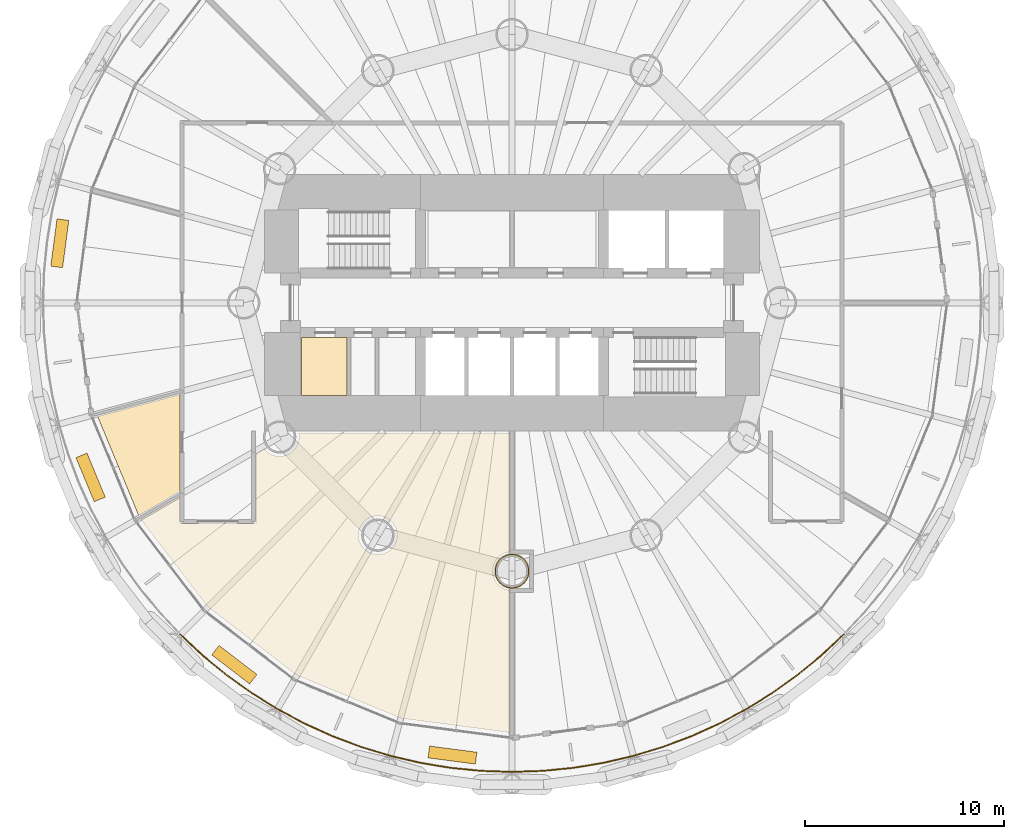
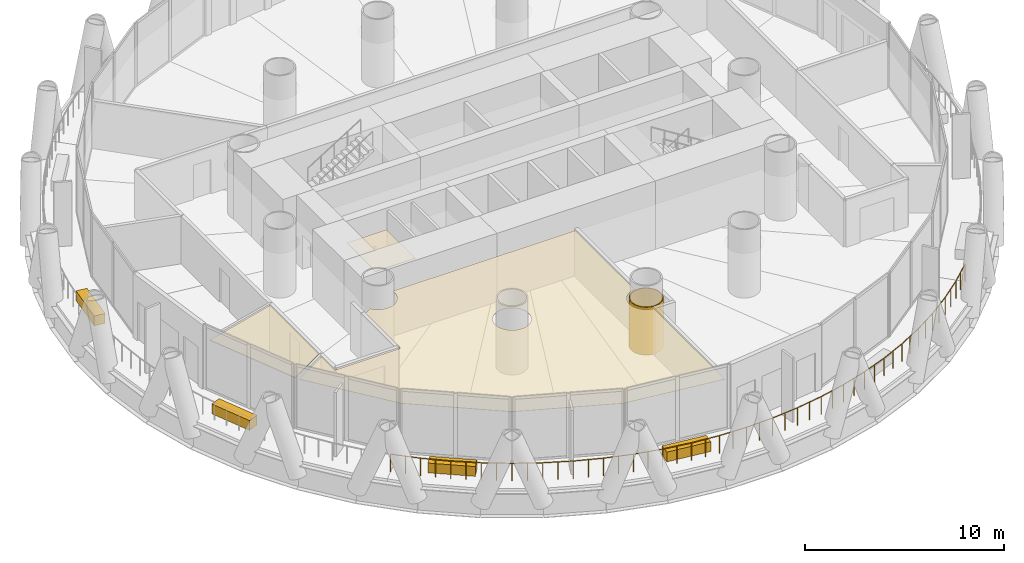
# One storey, part 12 of 15: 8 coverings, 1 railing.
"""IFC4 building model written with IfcOpenShell, lengths in metres."""

from ifc_helpers import new_model, si_unit, direction, frame, origin, origin_2d, place, context, subcontext, project, spatial, polyline, rectangle, circle, outline, extrude, material, layer, layer_set, type_object, element, save


model = new_model("IFC4")

# Units and contexts
model_context = context("Model", 3, precision=1e-05, world=origin(), true_north=direction((0.0, 1.0)))
body_context = subcontext(model_context, "Body", "Model", "MODEL_VIEW")
ifc_project = project(units=[si_unit("LENGTHUNIT", "METRE"), si_unit("AREAUNIT", "SQUARE_METRE"), si_unit("VOLUMEUNIT", "CUBIC_METRE"), si_unit("PLANEANGLEUNIT", "RADIAN"), si_unit("MASSUNIT", "GRAM", prefix="KILO")], contexts=[model_context])

# Site, building, storey
site_placement = place(None, origin())
site = spatial("IfcSite", under=ifc_project, at=site_placement, CompositionType="ELEMENT")
building_placement = place(site_placement, origin())
building = spatial("IfcBuilding", under=site, at=building_placement, Name="Qaws Media Tower", CompositionType="ELEMENT")
storey_placement = place(building_placement, frame((0.0, 0.0, 189.800048828125)))
storey = spatial("IfcBuildingStorey", under=building, at=storey_placement, Name="L43", CompositionType="ELEMENT", Elevation=189.800048828125)

# Covering
ifc_material_1 = material(Name="40 perforated acoustic panels with mineral wool backing, suspended", Category="mineral fibre")
ifc_layer_1 = layer(ifc_material_1, 0.0400390625)
ifc_layer_set_1 = layer_set([ifc_layer_1], Name="Acoustic panel ceiling 40")
covering_type_1 = type_object("IfcCoveringType", Name="Acoustic panel ceiling 40", PredefinedType="CEILING", material=ifc_layer_set_1)
covering_1_placement = place(storey_placement, frame((0.0, 0.0, 2.849853515625)))
element("IfcCovering", 1, at=covering_1_placement, inside=storey, type_object=covering_type_1, Name="CL3 ceiling L43-05 Meeting room", PredefinedType="CEILING", context=body_context, shape_type="SweptSolid", body=[
    extrude(outline(polyline([(39.1455078125, 44.295654296875), (43.28759765625, 45.405517578125), (43.28759765625, 40.48095703125), (41.219970703125, 39.287109375), (39.1455078125, 44.295654296875)])), origin(), (0.0, 0.0, 1.0), 0.0400390625),
])

# Railing
ifc_material_2 = material(Name="Stainless steel and glass guard", Category="steel")
railing_type = type_object("IfcRailingType", Name="Balcony guard 1100", PredefinedType="GUARDRAIL", material=ifc_material_2)
railing_placement = place(storey_placement, frame((43.312255859375, 33.312255859375, 0.0)))
element("IfcRailing", 2, at=railing_placement, inside=storey, type_object=railing_type, Name="GR1 balcony guard L43-3", PredefinedType="GUARDRAIL", context=body_context, shape_type="SweptSolid", body=[
    extrude(circle(Radius=0.02392578125, at=origin_2d()), frame((0.0, 0.0, 1.076171875), z_axis=(0.72988713465, -0.683567678195, 0.0), x_axis=(0.683567678195, 0.72988713465, 0.0)), (0.0, 0.0, 1.0), 1.54443359375),
    extrude(circle(Radius=0.02392578125, at=origin_2d()), frame((1.127197265625, -1.0556640625, 1.076171875), z_axis=(0.773019700674, -0.634382016115, 0.0), x_axis=(0.634382016115, 0.773019700674, 0.0)), (0.0, 0.0, 1.0), 1.54443359375),
    extrude(circle(Radius=0.02392578125, at=origin_2d()), frame((2.321044921875, -2.035400390625, 1.076171875), z_axis=(0.812770964156, -0.58258335011, 0.0), x_axis=(0.58258335011, 0.812770964156, 0.0)), (0.0, 0.0, 1.0), 1.544189453125),
    extrude(circle(Radius=0.02392578125, at=origin_2d()), frame((3.576171875, -2.93505859375, 1.076171875), z_axis=(0.849239345456, -0.528008081501, 0.0), x_axis=(0.528008081501, 0.849239345456, 0.0)), (0.0, 0.0, 1.0), 1.54443359375),
    extrude(circle(Radius=0.02392578125, at=origin_2d()), frame((4.8876953125, -3.75048828125, 1.076171875), z_axis=(0.881923737177, -0.471392110461, 0.0), x_axis=(0.471392110461, 0.881923737177, 0.0)), (0.0, 0.0, 1.0), 1.54443359375),
    extrude(circle(Radius=0.02392578125, at=origin_2d()), frame((6.249755859375, -4.478515625, 1.076171875), z_axis=(0.91090709795, -0.412611510873, 0.0), x_axis=(0.412611510873, 0.91090709795, 0.0)), (0.0, 0.0, 1.0), 1.54443359375),
    extrude(circle(Radius=0.02392578125, at=origin_2d()), frame((7.656494140625, -5.11572265625, 1.076171875), z_axis=(0.935860589673, -0.352370482159, 0.0), x_axis=(0.352370482159, 0.935860589673, 0.0)), (0.0, 0.0, 1.0), 1.54443359375),
    extrude(circle(Radius=0.02392578125, at=origin_2d()), frame((9.101806640625, -5.659912109375, 1.076171875), z_axis=(0.956947251227, -0.290261878945, 0.0), x_axis=(0.290261878945, 0.956947251227, 0.0)), (0.0, 0.0, 1.0), 1.544189453125),
    extrude(circle(Radius=0.02392578125, at=origin_2d()), frame((10.57958984375, -6.108154296875, 1.076171875), z_axis=(0.973887835828, -0.227029696794, 0.0), x_axis=(0.227029696794, 0.973887835828, 0.0)), (0.0, 0.0, 1.0), 1.544189453125),
    extrude(circle(Radius=0.02392578125, at=origin_2d()), frame((12.08349609375, -6.458740234375, 1.076171875), z_axis=(0.986632110635, -0.162963426156, 0.0), x_axis=(0.162963426156, 0.986632110635, 0.0)), (0.0, 0.0, 1.0), 1.544677734375),
    extrude(circle(Radius=0.02392578125, at=origin_2d()), frame((13.607421875, -6.71044921875, 1.076171875), z_axis=(0.995184778859, -0.098016610467, 0.0), x_axis=(0.098016610467, 0.995184778859, 0.0)), (0.0, 0.0, 1.0), 1.544189453125),
    extrude(circle(Radius=0.02392578125, at=origin_2d()), frame((15.144287109375, -6.86181640625, 1.076171875), z_axis=(0.999464385061, -0.032725265376, 0.0), x_axis=(0.032725265376, 0.999464385061, 0.0)), (0.0, 0.0, 1.0), 1.544189453125),
    extrude(circle(Radius=0.02392578125, at=origin_2d()), frame((16.687744140625, -6.912353515625, 1.076171875), z_axis=(0.999464385061, 0.032725265376, 0.0), x_axis=(-0.032725265376, 0.999464385061, 0.0)), (0.0, 0.0, 1.0), 1.544189453125),
    extrude(circle(Radius=0.02392578125, at=origin_2d()), frame((18.231201171875, -6.86181640625, 1.076171875), z_axis=(0.995184778859, 0.098016610467, 0.0), x_axis=(-0.098016610467, 0.995184778859, 0.0)), (0.0, 0.0, 1.0), 1.544189453125),
    extrude(circle(Radius=0.02392578125, at=origin_2d()), frame((19.76806640625, -6.71044921875, 1.076171875), z_axis=(0.986632110635, 0.162963426156, 0.0), x_axis=(-0.162963426156, 0.986632110635, 0.0)), (0.0, 0.0, 1.0), 1.544677734375),
    extrude(circle(Radius=0.02392578125, at=origin_2d()), frame((21.2919921875, -6.458740234375, 1.076171875), z_axis=(0.973887835828, 0.227029696794, 0.0), x_axis=(-0.227029696794, 0.973887835828, 0.0)), (0.0, 0.0, 1.0), 1.544189453125),
    extrude(circle(Radius=0.02392578125, at=origin_2d()), frame((22.7958984375, -6.108154296875, 1.076171875), z_axis=(0.956947251227, 0.290261878945, 0.0), x_axis=(-0.290261878945, 0.956947251227, 0.0)), (0.0, 0.0, 1.0), 1.544189453125),
    extrude(circle(Radius=0.02392578125, at=origin_2d()), frame((24.273681640625, -5.659912109375, 1.076171875), z_axis=(0.935860589673, 0.352370482159, 0.0), x_axis=(-0.352370482159, 0.935860589673, 0.0)), (0.0, 0.0, 1.0), 1.54443359375),
    extrude(circle(Radius=0.02392578125, at=origin_2d()), frame((25.718994140625, -5.11572265625, 1.076171875), z_axis=(0.91090709795, 0.412611510873, 0.0), x_axis=(-0.412611510873, 0.91090709795, 0.0)), (0.0, 0.0, 1.0), 1.54443359375),
    extrude(circle(Radius=0.02392578125, at=origin_2d()), frame((27.125732421875, -4.478515625, 1.076171875), z_axis=(0.881923737177, 0.471392110461, 0.0), x_axis=(-0.471392110461, 0.881923737177, 0.0)), (0.0, 0.0, 1.0), 1.54443359375),
    extrude(circle(Radius=0.02392578125, at=origin_2d()), frame((28.48779296875, -3.75048828125, 1.076171875), z_axis=(0.849239345456, 0.528008081501, 0.0), x_axis=(-0.528008081501, 0.849239345456, 0.0)), (0.0, 0.0, 1.0), 1.54443359375),
    extrude(circle(Radius=0.02392578125, at=origin_2d()), frame((29.79931640625, -2.93505859375, 1.076171875), z_axis=(0.812770964156, 0.58258335011, 0.0), x_axis=(-0.58258335011, 0.812770964156, 0.0)), (0.0, 0.0, 1.0), 1.544189453125),
    extrude(circle(Radius=0.02392578125, at=origin_2d()), frame((31.054443359375, -2.035400390625, 1.076171875), z_axis=(0.773019700674, 0.634382016115, 0.0), x_axis=(-0.634382016115, 0.773019700674, 0.0)), (0.0, 0.0, 1.0), 1.54443359375),
    extrude(circle(Radius=0.02392578125, at=origin_2d()), frame((32.248291015625, -1.0556640625, 1.076171875), z_axis=(0.72988713465, 0.683567678195, 0.0), x_axis=(-0.683567678195, 0.72988713465, 0.0)), (0.0, 0.0, 1.0), 1.54443359375),
    extrude(circle(Radius=0.02099609375, at=origin_2d()), origin(), (0.0, 0.0, 1.0), 1.052001953125),
    extrude(circle(Radius=0.02099609375, at=origin_2d()), frame((0.5634765625, -0.52783203125, 0.0)), (0.0, 0.0, 1.0), 1.052001953125),
    extrude(circle(Radius=0.02099609375, at=origin_2d()), frame((1.127197265625, -1.0556640625, 0.0)), (0.0, 0.0, 1.0), 1.052001953125),
    extrude(circle(Radius=0.02099609375, at=origin_2d()), frame((1.72412109375, -1.54541015625, 0.0)), (0.0, 0.0, 1.0), 1.052001953125),
    extrude(circle(Radius=0.02099609375, at=origin_2d()), frame((2.321044921875, -2.035400390625, 0.0)), (0.0, 0.0, 1.0), 1.052001953125),
    extrude(circle(Radius=0.02099609375, at=origin_2d()), frame((2.94873046875, -2.4853515625, 0.0)), (0.0, 0.0, 1.0), 1.052001953125),
    extrude(circle(Radius=0.02099609375, at=origin_2d()), frame((3.576171875, -2.93505859375, 0.0)), (0.0, 0.0, 1.0), 1.052001953125),
    extrude(circle(Radius=0.02099609375, at=origin_2d()), frame((4.23193359375, -3.3427734375, 0.0)), (0.0, 0.0, 1.0), 1.052001953125),
    extrude(circle(Radius=0.02099609375, at=origin_2d()), frame((4.8876953125, -3.75048828125, 0.0)), (0.0, 0.0, 1.0), 1.052001953125),
    extrude(circle(Radius=0.02099609375, at=origin_2d()), frame((5.56884765625, -4.114501953125, 0.0)), (0.0, 0.0, 1.0), 1.052001953125),
    extrude(circle(Radius=0.02099609375, at=origin_2d()), frame((6.249755859375, -4.478515625, 0.0)), (0.0, 0.0, 1.0), 1.052001953125),
    extrude(circle(Radius=0.02099609375, at=origin_2d()), frame((6.953125, -4.797119140625, 0.0)), (0.0, 0.0, 1.0), 1.052001953125),
    extrude(circle(Radius=0.02099609375, at=origin_2d()), frame((7.656494140625, -5.11572265625, 0.0)), (0.0, 0.0, 1.0), 1.052001953125),
    extrude(circle(Radius=0.02099609375, at=origin_2d()), frame((8.379150390625, -5.3876953125, 0.0)), (0.0, 0.0, 1.0), 1.052001953125),
    extrude(circle(Radius=0.02099609375, at=origin_2d()), frame((9.101806640625, -5.659912109375, 0.0)), (0.0, 0.0, 1.0), 1.052001953125),
    extrude(circle(Radius=0.02099609375, at=origin_2d()), frame((9.8408203125, -5.884033203125, 0.0)), (0.0, 0.0, 1.0), 1.052001953125),
    extrude(circle(Radius=0.02099609375, at=origin_2d()), frame((10.57958984375, -6.108154296875, 0.0)), (0.0, 0.0, 1.0), 1.052001953125),
    extrude(circle(Radius=0.02099609375, at=origin_2d()), frame((11.33154296875, -6.283447265625, 0.0)), (0.0, 0.0, 1.0), 1.052001953125),
    extrude(circle(Radius=0.02099609375, at=origin_2d()), frame((12.08349609375, -6.458740234375, 0.0)), (0.0, 0.0, 1.0), 1.052001953125),
    extrude(circle(Radius=0.02099609375, at=origin_2d()), frame((12.845458984375, -6.58447265625, 0.0)), (0.0, 0.0, 1.0), 1.052001953125),
    extrude(circle(Radius=0.02099609375, at=origin_2d()), frame((13.607421875, -6.71044921875, 0.0)), (0.0, 0.0, 1.0), 1.052001953125),
    extrude(circle(Radius=0.02099609375, at=origin_2d()), frame((14.3759765625, -6.7861328125, 0.0)), (0.0, 0.0, 1.0), 1.052001953125),
    extrude(circle(Radius=0.02099609375, at=origin_2d()), frame((15.144287109375, -6.86181640625, 0.0)), (0.0, 0.0, 1.0), 1.052001953125),
    extrude(circle(Radius=0.02099609375, at=origin_2d()), frame((15.916015625, -6.88720703125, 0.0)), (0.0, 0.0, 1.0), 1.052001953125),
    extrude(circle(Radius=0.02099609375, at=origin_2d()), frame((16.687744140625, -6.912353515625, 0.0)), (0.0, 0.0, 1.0), 1.052001953125),
    extrude(circle(Radius=0.02099609375, at=origin_2d()), frame((17.45947265625, -6.88720703125, 0.0)), (0.0, 0.0, 1.0), 1.052001953125),
    extrude(circle(Radius=0.02099609375, at=origin_2d()), frame((18.231201171875, -6.86181640625, 0.0)), (0.0, 0.0, 1.0), 1.052001953125),
    extrude(circle(Radius=0.02099609375, at=origin_2d()), frame((18.99951171875, -6.7861328125, 0.0)), (0.0, 0.0, 1.0), 1.052001953125),
    extrude(circle(Radius=0.02099609375, at=origin_2d()), frame((19.76806640625, -6.71044921875, 0.0)), (0.0, 0.0, 1.0), 1.052001953125),
    extrude(circle(Radius=0.02099609375, at=origin_2d()), frame((20.530029296875, -6.58447265625, 0.0)), (0.0, 0.0, 1.0), 1.052001953125),
    extrude(circle(Radius=0.02099609375, at=origin_2d()), frame((21.2919921875, -6.458740234375, 0.0)), (0.0, 0.0, 1.0), 1.052001953125),
    extrude(circle(Radius=0.02099609375, at=origin_2d()), frame((22.0439453125, -6.283447265625, 0.0)), (0.0, 0.0, 1.0), 1.052001953125),
    extrude(circle(Radius=0.02099609375, at=origin_2d()), frame((22.7958984375, -6.108154296875, 0.0)), (0.0, 0.0, 1.0), 1.052001953125),
    extrude(circle(Radius=0.02099609375, at=origin_2d()), frame((23.53466796875, -5.884033203125, 0.0)), (0.0, 0.0, 1.0), 1.052001953125),
    extrude(circle(Radius=0.02099609375, at=origin_2d()), frame((24.273681640625, -5.659912109375, 0.0)), (0.0, 0.0, 1.0), 1.052001953125),
    extrude(circle(Radius=0.02099609375, at=origin_2d()), frame((24.996337890625, -5.3876953125, 0.0)), (0.0, 0.0, 1.0), 1.052001953125),
    extrude(circle(Radius=0.02099609375, at=origin_2d()), frame((25.718994140625, -5.11572265625, 0.0)), (0.0, 0.0, 1.0), 1.052001953125),
    extrude(circle(Radius=0.02099609375, at=origin_2d()), frame((26.42236328125, -4.797119140625, 0.0)), (0.0, 0.0, 1.0), 1.052001953125),
    extrude(circle(Radius=0.02099609375, at=origin_2d()), frame((27.125732421875, -4.478515625, 0.0)), (0.0, 0.0, 1.0), 1.052001953125),
    extrude(circle(Radius=0.02099609375, at=origin_2d()), frame((27.806640625, -4.114501953125, 0.0)), (0.0, 0.0, 1.0), 1.052001953125),
    extrude(circle(Radius=0.02099609375, at=origin_2d()), frame((28.48779296875, -3.75048828125, 0.0)), (0.0, 0.0, 1.0), 1.052001953125),
    extrude(circle(Radius=0.02099609375, at=origin_2d()), frame((29.1435546875, -3.3427734375, 0.0)), (0.0, 0.0, 1.0), 1.052001953125),
    extrude(circle(Radius=0.02099609375, at=origin_2d()), frame((29.79931640625, -2.93505859375, 0.0)), (0.0, 0.0, 1.0), 1.052001953125),
    extrude(circle(Radius=0.02099609375, at=origin_2d()), frame((30.4267578125, -2.4853515625, 0.0)), (0.0, 0.0, 1.0), 1.052001953125),
    extrude(circle(Radius=0.02099609375, at=origin_2d()), frame((31.054443359375, -2.035400390625, 0.0)), (0.0, 0.0, 1.0), 1.052001953125),
    extrude(circle(Radius=0.02099609375, at=origin_2d()), frame((31.6513671875, -1.54541015625, 0.0)), (0.0, 0.0, 1.0), 1.052001953125),
    extrude(circle(Radius=0.02099609375, at=origin_2d()), frame((32.248291015625, -1.0556640625, 0.0)), (0.0, 0.0, 1.0), 1.052001953125),
    extrude(circle(Radius=0.02099609375, at=origin_2d()), frame((32.81201171875, -0.52783203125, 0.0)), (0.0, 0.0, 1.0), 1.052001953125),
    extrude(circle(Radius=0.02099609375, at=origin_2d()), frame((33.37548828125, 0.0, 0.0)), (0.0, 0.0, 1.0), 1.052001953125),
])

# Coverings
ifc_material_3 = material(Name="Two layers 15 fire-rated gypsum board on steel framing", Category="steel")
ifc_layer_2 = layer(ifc_material_3, 0.050048828125)
ifc_layer_set_2 = layer_set([ifc_layer_2], Name="Column fire casing")
covering_type_2 = type_object("IfcCoveringType", Name="Column fire casing", PredefinedType="CLADDING", material=ifc_layer_set_2)
covering_2_placement = place(storey_placement, origin())
element("IfcCovering", 3, at=covering_2_placement, inside=storey, type_object=covering_type_2, Name="CC1 column casing L43", PredefinedType="CLADDING", context=body_context, shape_type="SweptSolid", body=[
    extrude(outline(polyline([(60.867919921875, 36.5), (60.860595703125, 36.38671875), (60.83837890625, 36.275390625), (60.802001953125, 36.167724609375), (60.751708984375, 36.06591796875), (60.688720703125, 35.9716796875), (60.61376953125, 35.88623046875), (60.5283203125, 35.811279296875), (60.43408203125, 35.748291015625), (60.332275390625, 35.697998046875), (60.224609375, 35.66162109375), (60.11328125, 35.639404296875), (60.0, 35.632080078125), (59.88671875, 35.639404296875), (59.775390625, 35.66162109375), (59.667724609375, 35.697998046875), (59.56591796875, 35.748291015625), (59.4716796875, 35.811279296875), (59.38623046875, 35.88623046875), (59.311279296875, 35.9716796875), (59.248291015625, 36.06591796875), (59.197998046875, 36.167724609375), (59.16162109375, 36.275390625), (59.139404296875, 36.38671875), (59.132080078125, 36.5), (59.139404296875, 36.61328125), (59.16162109375, 36.724609375), (59.197998046875, 36.832275390625), (59.248291015625, 36.93408203125), (59.311279296875, 37.0283203125), (59.38623046875, 37.11376953125), (59.4716796875, 37.188720703125), (59.56591796875, 37.251708984375), (59.667724609375, 37.302001953125), (59.775390625, 37.33837890625), (59.88671875, 37.360595703125), (60.0, 37.367919921875), (60.11328125, 37.360595703125), (60.224609375, 37.33837890625), (60.332275390625, 37.302001953125), (60.43408203125, 37.251708984375), (60.5283203125, 37.188720703125), (60.61376953125, 37.11376953125), (60.688720703125, 37.0283203125), (60.751708984375, 36.93408203125), (60.802001953125, 36.832275390625), (60.83837890625, 36.724609375), (60.860595703125, 36.61328125), (60.867919921875, 36.5)]), holes=[polyline([(60.81591796875, 36.5), (60.80908203125, 36.3935546875), (60.7880859375, 36.288818359375), (60.75390625, 36.187744140625), (60.706787109375, 36.092041015625), (60.6474609375, 36.00341796875), (60.576904296875, 35.923095703125), (60.49658203125, 35.8525390625), (60.407958984375, 35.793212890625), (60.312255859375, 35.74609375), (60.211181640625, 35.7119140625), (60.1064453125, 35.69091796875), (60.0, 35.68408203125), (59.8935546875, 35.69091796875), (59.788818359375, 35.7119140625), (59.687744140625, 35.74609375), (59.592041015625, 35.793212890625), (59.50341796875, 35.8525390625), (59.423095703125, 35.923095703125), (59.3525390625, 36.00341796875), (59.293212890625, 36.092041015625), (59.24609375, 36.187744140625), (59.2119140625, 36.288818359375), (59.19091796875, 36.3935546875), (59.18408203125, 36.5), (59.19091796875, 36.6064453125), (59.2119140625, 36.711181640625), (59.24609375, 36.812255859375), (59.293212890625, 36.907958984375), (59.3525390625, 36.99658203125), (59.423095703125, 37.076904296875), (59.50341796875, 37.1474609375), (59.592041015625, 37.206787109375), (59.687744140625, 37.25390625), (59.788818359375, 37.2880859375), (59.8935546875, 37.30908203125), (60.0, 37.31591796875), (60.1064453125, 37.30908203125), (60.211181640625, 37.2880859375), (60.312255859375, 37.25390625), (60.407958984375, 37.206787109375), (60.49658203125, 37.1474609375), (60.576904296875, 37.076904296875), (60.6474609375, 36.99658203125), (60.706787109375, 36.907958984375), (60.75390625, 36.812255859375), (60.7880859375, 36.711181640625), (60.80908203125, 36.6064453125), (60.81591796875, 36.5)])]), origin(), (0.0, 0.0, 1.0), 2.929931640625),
])
ifc_material_4 = material(Name="600 x 600 mineral fibre tiles in exposed grid, suspended", Category="mineral fibre")
ifc_layer_3 = layer(ifc_material_4, 0.02001953125)
ifc_layer_set_3 = layer_set([ifc_layer_3], Name="Mineral fibre tile ceiling 20")
covering_type_3 = type_object("IfcCoveringType", Name="Mineral fibre tile ceiling 20", PredefinedType="CEILING", material=ifc_layer_set_3)
covering_3_placement = place(storey_placement, frame((0.0, 0.0, 2.849853515625)))
element("IfcCovering", 4, at=covering_3_placement, inside=storey, type_object=covering_type_3, Name="CL1 ceiling L43-06 Marketing office", PredefinedType="CEILING", context=body_context, shape_type="SweptSolid", body=[
    extrude(outline(polyline([(54.400390625, 29.10205078125), (49.182373046875, 31.26318359375), (44.70166015625, 34.70166015625), (41.33251953125, 39.09228515625), (43.28759765625, 40.22119140625), (43.28759765625, 38.887451171875), (47.112548828125, 38.887451171875), (47.112548828125, 42.429443359375), (47.528564453125, 42.669921875), (47.53662109375, 42.65771484375), (47.62060546875, 42.56201171875), (47.71630859375, 42.47802734375), (47.822265625, 42.407470703125), (47.936279296875, 42.35107421875), (48.056884765625, 42.310302734375), (48.181640625, 42.285400390625), (48.30859375, 42.277099609375), (48.435791015625, 42.285400390625), (48.560546875, 42.310302734375), (48.680908203125, 42.35107421875), (48.795166015625, 42.407470703125), (48.90087890625, 42.47802734375), (48.99658203125, 42.56201171875), (49.08056640625, 42.65771484375), (49.1513671875, 42.763427734375), (49.20751953125, 42.877685546875), (49.24853515625, 42.998291015625), (49.273193359375, 43.123046875), (49.28173828125, 43.25), (49.273193359375, 43.376953125), (49.26123046875, 43.4375), (59.887451171875, 43.4375), (59.887451171875, 37.465576171875), (59.873046875, 37.464599609375), (59.748291015625, 37.439697265625), (59.627685546875, 37.39892578125), (59.513427734375, 37.342529296875), (59.40771484375, 37.27197265625), (59.31201171875, 37.18798828125), (59.22802734375, 37.09228515625), (59.157470703125, 36.986572265625), (59.10107421875, 36.872314453125), (59.060302734375, 36.751708984375), (59.035400390625, 36.626953125), (59.027099609375, 36.5), (59.035400390625, 36.373046875), (59.060302734375, 36.248291015625), (59.10107421875, 36.127685546875), (59.157470703125, 36.013427734375), (59.22802734375, 35.90771484375), (59.31201171875, 35.81201171875), (59.40771484375, 35.72802734375), (59.513427734375, 35.657470703125), (59.627685546875, 35.60107421875), (59.748291015625, 35.560302734375), (59.873046875, 35.535400390625), (59.887451171875, 35.534423828125), (59.887451171875, 28.379638671875), (54.400390625, 29.10205078125)]), holes=[polyline([(54.189697265625, 38.056884765625), (54.214599609375, 38.181640625), (54.222900390625, 38.30859375), (54.214599609375, 38.435791015625), (54.189697265625, 38.560546875), (54.14892578125, 38.680908203125), (54.092529296875, 38.795166015625), (54.02197265625, 38.90087890625), (53.93798828125, 38.99658203125), (53.84228515625, 39.08056640625), (53.736572265625, 39.1513671875), (53.622314453125, 39.20751953125), (53.501708984375, 39.24853515625), (53.376953125, 39.273193359375), (53.25, 39.28173828125), (53.123046875, 39.273193359375), (52.998291015625, 39.24853515625), (52.877685546875, 39.20751953125), (52.763427734375, 39.1513671875), (52.65771484375, 39.08056640625), (52.56201171875, 38.99658203125), (52.47802734375, 38.90087890625), (52.407470703125, 38.795166015625), (52.35107421875, 38.680908203125), (52.310302734375, 38.560546875), (52.285400390625, 38.435791015625), (52.277099609375, 38.30859375), (52.285400390625, 38.181640625), (52.310302734375, 38.056884765625), (52.35107421875, 37.936279296875), (52.407470703125, 37.822265625), (52.47802734375, 37.71630859375), (52.56201171875, 37.62060546875), (52.65771484375, 37.53662109375), (52.763427734375, 37.466064453125), (52.877685546875, 37.40966796875), (52.998291015625, 37.368896484375), (53.123046875, 37.343994140625), (53.25, 37.335693359375), (53.376953125, 37.343994140625), (53.501708984375, 37.368896484375), (53.622314453125, 37.40966796875), (53.736572265625, 37.466064453125), (53.84228515625, 37.53662109375), (53.93798828125, 37.62060546875), (54.02197265625, 37.71630859375), (54.092529296875, 37.822265625), (54.14892578125, 37.936279296875), (54.189697265625, 38.056884765625)])]), origin(), (0.0, 0.0, 1.0), 0.02001953125),
])
ifc_material_5 = material(Name="Precast concrete planter with trailing planting", Category="concrete")
ifc_layer_4 = layer(ifc_material_5, 0.60009765625)
ifc_layer_set_4 = layer_set([ifc_layer_4], Name="Planter 2400x600")
covering_type_4 = type_object("IfcCoveringType", Name="Planter 2400x600", PredefinedType="USERDEFINED", material=ifc_layer_set_4)
for number, where, z_axis, x_axis, name in (
    (5, (37.246337890625, 52.99560546875, 0.0), (0.0, 0.0, 1.0), (-0.13052619222, -0.991444861374, 0.0), "PL1 balcony planter L43-06"),
    (6, (38.796875, 41.217529296875, 0.0), (0.0, 0.0, 1.0), (0.382683432365, -0.923879532511, 0.0), "PL1 balcony planter L43-07"),
    (7, (46.02880859375, 31.79248046875, 0.0), (0.0, 0.0, 1.0), (0.793353340291, -0.608761429009, 0.0), "PL1 balcony planter L43-08"),
    (8, (57.00439453125, 27.246337890625, 0.0), (0.0, 0.0, 1.0), (0.991444861374, -0.13052619222, 0.0), "PL1 balcony planter L43-09"),
):
    element("IfcCovering", number, at=place(storey_placement, frame(where, z_axis=z_axis, x_axis=x_axis)), inside=storey, type_object=covering_type_4, Name=name, ObjectType="PLANTER", PredefinedType="USERDEFINED", context=body_context, shape_type="SweptSolid", body=[
        extrude(rectangle(XDim=2.39990234375, YDim=0.60009765625, at=origin_2d()), origin(), (0.0, 0.0, 1.0), 0.60009765625),
    ])
ifc_material_6 = material(Name="Two layers 12.5 moisture-resistant plasterboard on suspended metal furring", Category="gypsum")
ifc_layer_5 = layer(ifc_material_6, 0.02490234375)
ifc_layer_set_5 = layer_set([ifc_layer_5], Name="Plasterboard ceiling 25")
covering_type_5 = type_object("IfcCoveringType", Name="Plasterboard ceiling 25", PredefinedType="CEILING", material=ifc_layer_set_5)
covering_4_placement = place(storey_placement, frame((0.0, 0.0, 2.849853515625)))
element("IfcCovering", 9, at=covering_4_placement, inside=storey, type_object=covering_type_5, Name="CL2 ceiling L43-C04 Accessible WC", PredefinedType="CEILING", context=body_context, shape_type="SweptSolid", body=[
    extrude(outline(polyline([(49.39990234375, 45.35009765625), (49.39990234375, 48.25), (51.699951171875, 48.25), (51.699951171875, 45.35009765625), (49.39990234375, 45.35009765625)])), origin(), (0.0, 0.0, 1.0), 0.025146484375),
])

save(model, "model.ifc")
